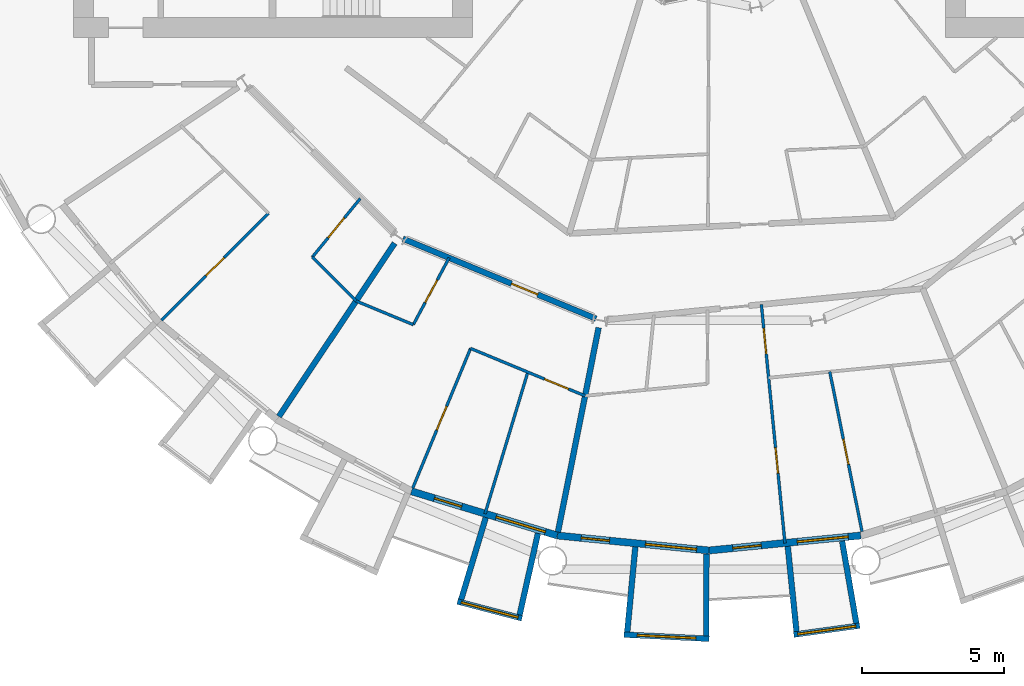
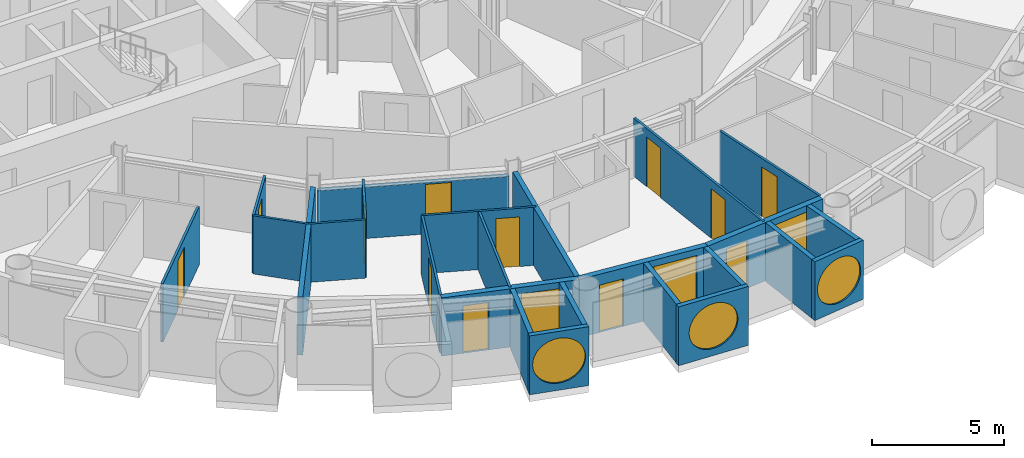
# One storey, part 13 of 26: 25 walls, 12 doors, 6 windows, 18 openings.
"""IFC4 building model written with IfcOpenShell, lengths in metres."""

from ifc_helpers import new_model, si_unit, direction, frame, frame_2d, origin, place, context, subcontext, project, spatial, rectangle, circle, extrude, material, layer, layer_set, type_object, element, fill, save


model = new_model("IFC4")

# Units and contexts
model_context = context("Model", 3, precision=1e-05, world=origin(), true_north=direction((0.0, 1.0)))
body_context = subcontext(model_context, "Body", "Model", "MODEL_VIEW")
ifc_project = project(units=[si_unit("LENGTHUNIT", "METRE"), si_unit("AREAUNIT", "SQUARE_METRE"), si_unit("VOLUMEUNIT", "CUBIC_METRE"), si_unit("PLANEANGLEUNIT", "RADIAN"), si_unit("MASSUNIT", "GRAM", prefix="KILO")], contexts=[model_context])

# Site, building, storey
site_placement = place(None, origin())
site = spatial("IfcSite", under=ifc_project, at=site_placement, CompositionType="ELEMENT")
building_placement = place(site_placement, origin())
building = spatial("IfcBuilding", under=site, at=building_placement, Name="Maasbend Ring Residences", CompositionType="ELEMENT")
storey_placement = place(building_placement, frame((0.0, 0.0, 63.60009765625)))
storey = spatial("IfcBuildingStorey", under=building, at=storey_placement, Name="L17", CompositionType="ELEMENT", Elevation=63.60009765625)

# Wall, opening, door
ifc_material_1 = material(Name="Concrete C30/37", Category="concrete")
ifc_layer_1 = layer(ifc_material_1, 0.199951171875)
ifc_layer_set_1 = layer_set([ifc_layer_1], Name="Concrete C30/37")
wall_type_1 = type_object("IfcWallType", Name="CORRIDOR WALL 200 CONCRETE", PredefinedType="PARTITIONING", material=ifc_layer_set_1)
wall_1_placement = place(storey_placement, frame((-10.7451171875, -16.35595703125, 0.0), z_axis=(0.0, 0.0, 1.0), x_axis=(0.923881347896, -0.382679049609, 0.0)))
wall_1 = element("IfcWall", 1, at=wall_1_placement, inside=storey, type_object=wall_type_1, Name="U-L17-w012", PredefinedType="PARTITIONING", context=body_context, shape_type="SweptSolid", body=[
    extrude(rectangle(XDim=7.33544921875, YDim=0.199951171875, at=frame_2d((3.667724609375, 0.0))), origin(), (0.0, 0.0, 1.0), 2.3798828125),
])
opening_1_placement = place(wall_1_placement, frame((4.1240234375, 0.0, 0.0)))
opening_1 = element("IfcOpeningElement", 2, at=opening_1_placement, cuts=wall_1, Name="Opening D-1739", PredefinedType="OPENING", context=body_context, shape_type="SweptSolid", body=[
    extrude(rectangle(XDim=1.0, YDim=2.300048828125, at=frame_2d((0.5, 1.14990234375))), frame((0.0, 0.10986328125, 0.0), z_axis=(0.0, -1.0, 0.0), x_axis=(1.0, 0.0, 0.0)), (0.0, 0.0, 1.0), 0.219970703125),
])
ifc_material_2 = material(Name="Timber, fire-rated, painted", Category="wood")
door_type_1 = type_object("IfcDoorType", Name="FLAT ENTRANCE DOOR 1000 X 2300 FIRE-RATED", OperationType="NOTDEFINED", PredefinedType="DOOR", material=ifc_material_2)
door_1_placement = place(opening_1_placement, origin())
door_1 = element("IfcDoor", 3, at=door_1_placement, inside=storey, type_object=door_type_1, Name="D-1739", OperationType="SINGLE_SWING_RIGHT", OverallHeight=2.300048828125, OverallWidth=1.0, PredefinedType="DOOR", context=body_context, shape_type="SweptSolid", body=[
    extrude(rectangle(XDim=1.0, YDim=2.300048828125, at=frame_2d((0.5, 1.14990234375))), frame((0.0, 0.02490234375, 0.0), z_axis=(0.0, -1.0, 0.0), x_axis=(1.0, 0.0, 0.0)), (0.0, 0.0, 1.0), 0.050048828125),
])
fill(opening_1, door_1)

# Wall, opening, window
ifc_material_3 = material(Name="Pale anodised aluminium panel", Category="aluminium")
ifc_layer_2 = layer(ifc_material_3, 0.199951171875)
ifc_layer_set_2 = layer_set([ifc_layer_2], Name="EW-BOX")
wall_type_2 = type_object("IfcWallType", Name="EW-BOX", PredefinedType="SOLIDWALL", material=ifc_layer_set_2)
wall_2_placement = place(storey_placement, frame((-8.827880859375, -29.090087890625, -0.030029296875), z_axis=(0.0, 0.0, 1.0), x_axis=(0.967377102346, -0.253340762326, 0.0)))
wall_2 = element("IfcWall", 4, at=wall_2_placement, inside=storey, type_object=wall_type_2, Name="Box front S08", PredefinedType="SOLIDWALL", context=body_context, shape_type="SweptSolid", body=[
    extrude(rectangle(XDim=2.3359375, YDim=0.199951171875, at=frame_2d((1.16796875, 0.0))), origin(), (0.0, 0.0, 1.0), 2.72998046875),
])
opening_2_placement = place(wall_2_placement, frame((0.128173828125, 0.0, 0.330078125)))
opening_2 = element("IfcOpeningElement", 5, at=opening_2_placement, cuts=wall_2, Name="Opening W-RD", PredefinedType="OPENING", context=body_context, shape_type="SweptSolid", body=[
    extrude(circle(Radius=1.0400390625, at=frame_2d((1.0400390625, 1.0400390625))), frame((0.0, 0.10986328125, 0.0), z_axis=(0.0, -1.0, 0.0), x_axis=(1.0, 0.0, 0.0)), (0.0, 0.0, 1.0), 0.219970703125),
])
ifc_material_4 = material(Name="Aluminium and clear glass", Category="aluminium")
window_type_1 = type_object("IfcWindowType", Name="W-RD", PartitioningType="SINGLE_PANEL", PredefinedType="WINDOW", material=ifc_material_4)
window_1_placement = place(opening_2_placement, origin())
window_1 = element("IfcWindow", 6, at=window_1_placement, inside=storey, type_object=window_type_1, Name="Round window S08", OverallHeight=2.080078125, OverallWidth=2.080078125, PartitioningType="SINGLE_PANEL", PredefinedType="WINDOW", context=body_context, shape_type="SweptSolid", body=[
    extrude(circle(Radius=1.0400390625, at=frame_2d((1.0400390625, 1.0400390625))), frame((0.0, 0.030029296875, 0.0), z_axis=(0.0, -1.0, 0.0), x_axis=(1.0, 0.0, 0.0)), (0.0, 0.0, 1.0), 0.06005859375),
])
fill(opening_2, window_1)

# Walls
wall_3_placement = place(storey_placement, frame((-7.8369140625, -26.14404296875, -0.030029296875), z_axis=(0.0, 0.0, 1.0), x_axis=(-0.287064767992, -0.957911174889, 0.0)))
element("IfcWall", 7, at=wall_3_placement, inside=storey, type_object=wall_type_2, Name="Box side wall S08 left", PredefinedType="SOLIDWALL", context=body_context, shape_type="SweptSolid", body=[
    extrude(rectangle(XDim=3.00634765625, YDim=0.199951171875, at=frame_2d((1.503173828125, 0.0))), origin(), (0.0, 0.0, 1.0), 2.72998046875),
])
wall_4_placement = place(storey_placement, frame((-6.00390625, -26.699951171875, -0.030029296875), z_axis=(0.0, 0.0, 1.0), x_axis=(-0.219609259383, -0.975587911566, 0.0)))
element("IfcWall", 8, at=wall_4_placement, inside=storey, type_object=wall_type_2, Name="Box side wall S08 right", PredefinedType="SOLIDWALL", context=body_context, shape_type="SweptSolid", body=[
    extrude(rectangle(XDim=2.9326171875, YDim=0.199951171875, at=frame_2d((1.46630859375, 0.0))), origin(), (0.0, 0.0, 1.0), 2.72998046875),
])

# Wall, opening, window
wall_5_placement = place(storey_placement, frame((-2.985107421875, -30.2529296875, -0.030029296875), z_axis=(0.0, 0.0, 1.0), x_axis=(0.998794083011, -0.049095618353, 0.0)))
wall_5 = element("IfcWall", 9, at=wall_5_placement, inside=storey, type_object=wall_type_2, Name="Box front S10", PredefinedType="SOLIDWALL", context=body_context, shape_type="SweptSolid", body=[
    extrude(rectangle(XDim=2.99365234375, YDim=0.199951171875, at=frame_2d((1.496826171875, 0.0))), origin(), (0.0, 0.0, 1.0), 2.72998046875),
])
opening_3_placement = place(wall_5_placement, frame((0.45654296875, 0.0, 0.330078125)))
opening_3 = element("IfcOpeningElement", 10, at=opening_3_placement, cuts=wall_5, Name="Opening W-RD", PredefinedType="OPENING", context=body_context, shape_type="SweptSolid", body=[
    extrude(circle(Radius=1.0400390625, at=frame_2d((1.0400390625, 1.0400390625))), frame((0.0, 0.10986328125, 0.0), z_axis=(0.0, -1.0, 0.0), x_axis=(1.0, 0.0, 0.0)), (0.0, 0.0, 1.0), 0.219970703125),
])
window_2_placement = place(opening_3_placement, origin())
window_2 = element("IfcWindow", 11, at=window_2_placement, inside=storey, type_object=window_type_1, Name="Round window S10", OverallHeight=2.080078125, OverallWidth=2.080078125, PartitioningType="SINGLE_PANEL", PredefinedType="WINDOW", context=body_context, shape_type="SweptSolid", body=[
    extrude(circle(Radius=1.0400390625, at=frame_2d((1.0400390625, 1.0400390625))), frame((0.0, 0.030029296875, 0.0), z_axis=(0.0, -1.0, 0.0), x_axis=(1.0, 0.0, 0.0)), (0.0, 0.0, 1.0), 0.06005859375),
])
fill(opening_3, window_2)

# Walls
wall_6_placement = place(storey_placement, frame((-2.5859375, -27.1708984375, -0.030029296875), z_axis=(0.0, 0.0, 1.0), x_axis=(-0.094548432284, -0.995520262954, 0.0)))
element("IfcWall", 12, at=wall_6_placement, inside=storey, type_object=wall_type_2, Name="Box side wall S10 left", PredefinedType="SOLIDWALL", context=body_context, shape_type="SweptSolid", body=[
    extrude(rectangle(XDim=3.005615234375, YDim=0.199951171875, at=frame_2d((1.5029296875, 0.0))), origin(), (0.0, 0.0, 1.0), 2.72998046875),
])
wall_7_placement = place(storey_placement, frame((-0.090087890625, -27.4169921875, -0.030029296875), z_axis=(0.0, 0.0, 1.0), x_axis=(-0.00347308367, -0.999993968827, 0.0)))
element("IfcWall", 13, at=wall_7_placement, inside=storey, type_object=wall_type_2, Name="Box side wall S10 right", PredefinedType="SOLIDWALL", context=body_context, shape_type="SweptSolid", body=[
    extrude(rectangle(XDim=2.882080078125, YDim=0.199951171875, at=frame_2d((1.44091796875, 0.0))), origin(), (0.0, 0.0, 1.0), 2.72998046875),
])

# Wall, opening, window
wall_8_placement = place(storey_placement, frame((2.97607421875, -30.25390625, -0.030029296875), z_axis=(0.0, 0.0, 1.0), x_axis=(0.990696111261, 0.136092671119, 0.0)))
wall_8 = element("IfcWall", 14, at=wall_8_placement, inside=storey, type_object=wall_type_2, Name="Box front S12", PredefinedType="SOLIDWALL", context=body_context, shape_type="SweptSolid", body=[
    extrude(rectangle(XDim=2.335693359375, YDim=0.199951171875, at=frame_2d((1.16796875, 0.0))), origin(), (0.0, 0.0, 1.0), 2.72998046875),
])
opening_4_placement = place(wall_8_placement, frame((0.128173828125, 0.0, 0.330078125)))
opening_4 = element("IfcOpeningElement", 15, at=opening_4_placement, cuts=wall_8, Name="Opening W-RD", PredefinedType="OPENING", context=body_context, shape_type="SweptSolid", body=[
    extrude(circle(Radius=1.0400390625, at=frame_2d((1.0400390625, 1.0400390625))), frame((0.0, 0.10986328125, 0.0), z_axis=(0.0, -1.0, 0.0), x_axis=(1.0, 0.0, 0.0)), (0.0, 0.0, 1.0), 0.219970703125),
])
window_3_placement = place(opening_4_placement, origin())
window_3 = element("IfcWindow", 16, at=window_3_placement, inside=storey, type_object=window_type_1, Name="Round window S12", OverallHeight=2.080078125, OverallWidth=2.080078125, PartitioningType="SINGLE_PANEL", PredefinedType="WINDOW", context=body_context, shape_type="SweptSolid", body=[
    extrude(circle(Radius=1.0400390625, at=frame_2d((1.0400390625, 1.0400390625))), frame((0.0, 0.030029296875, 0.0), z_axis=(0.0, -1.0, 0.0), x_axis=(1.0, 0.0, 0.0)), (0.0, 0.0, 1.0), 0.06005859375),
])
fill(opening_4, window_3)

# Walls
wall_9_placement = place(storey_placement, frame((2.763916015625, -27.153076171875, -0.030029296875), z_axis=(0.0, 0.0, 1.0), x_axis=(0.101505487237, -0.994834979311, 0.0)))
element("IfcWall", 17, at=wall_9_placement, inside=storey, type_object=wall_type_2, Name="Box side wall S12 left", PredefinedType="SOLIDWALL", context=body_context, shape_type="SweptSolid", body=[
    extrude(rectangle(XDim=3.006591796875, YDim=0.199951171875, at=frame_2d((1.50341796875, 0.0))), origin(), (0.0, 0.0, 1.0), 2.72998046875),
])
wall_10_placement = place(storey_placement, frame((4.6708984375, -26.966064453125, -0.030029296875), z_axis=(0.0, 0.0, 1.0), x_axis=(0.170539878907, -0.985350774954, 0.0)))
element("IfcWall", 18, at=wall_10_placement, inside=storey, type_object=wall_type_2, Name="Box side wall S12 right", PredefinedType="SOLIDWALL", context=body_context, shape_type="SweptSolid", body=[
    extrude(rectangle(XDim=2.931884765625, YDim=0.199951171875, at=frame_2d((1.4658203125, 0.0))), origin(), (0.0, 0.0, 1.0), 2.72998046875),
])

# Wall, openings, door, window
ifc_material_5 = material(Name="Aluminium clad insulated panel", Category="aluminium")
ifc_layer_3 = layer(ifc_material_5, 0.25)
ifc_layer_set_3 = layer_set([ifc_layer_3], Name="EW-GL")
wall_type_3 = type_object("IfcWallType", Name="EW-GL", PredefinedType="SOLIDWALL", material=ifc_layer_set_3)
wall_11_placement = place(storey_placement, frame((-10.447021484375, -25.221923828125, 0.0), z_axis=(0.0, 0.0, 1.0), x_axis=(0.956965678721, -0.290201119486, 0.0)))
wall_11 = element("IfcWall", 19, at=wall_11_placement, inside=storey, type_object=wall_type_3, Name="External wall S04", PredefinedType="SOLIDWALL", context=body_context, shape_type="SweptSolid", body=[
    extrude(rectangle(XDim=5.351318359375, YDim=0.25, at=frame_2d((2.67578125, 0.0))), origin(), (0.0, 0.0, 1.0), 2.699951171875),
])
opening_5_placement = place(wall_11_placement, frame((0.841064453125, 0.0, 0.0)))
opening_5 = element("IfcOpeningElement", 20, at=opening_5_placement, cuts=wall_11, Name="Opening D-LG", PredefinedType="OPENING", context=body_context, shape_type="SweptSolid", body=[
    extrude(rectangle(XDim=1.0, YDim=2.199951171875, at=frame_2d((0.5, 1.10009765625))), frame((0.0, 0.135009765625, 0.0), z_axis=(0.0, -1.0, 0.0), x_axis=(1.0, 0.0, 0.0)), (0.0, 0.0, 1.0), 0.27001953125),
])
opening_6_placement = place(wall_11_placement, frame((3.110595703125, 0.0, 0.300048828125)))
opening_6 = element("IfcOpeningElement", 21, at=opening_6_placement, cuts=wall_11, Name="Opening W-BX", PredefinedType="OPENING", context=body_context, shape_type="SweptSolid", body=[
    extrude(rectangle(XDim=1.800048828125, YDim=2.10009765625, at=frame_2d((0.89990234375, 1.050048828125))), frame((0.0, 0.135009765625, 0.0), z_axis=(0.0, -1.0, 0.0), x_axis=(1.0, 0.0, 0.0)), (0.0, 0.0, 1.0), 0.27001953125),
])
ifc_material_6 = material(Name="Aluminium and clear glass", Category="aluminium")
door_type_2 = type_object("IfcDoorType", Name="D-LG", OperationType="SINGLE_SWING_LEFT", PredefinedType="DOOR", material=ifc_material_6)
door_2_placement = place(opening_5_placement, origin())
door_2 = element("IfcDoor", 22, at=door_2_placement, inside=storey, type_object=door_type_2, Name="Loggia door S07", OperationType="SINGLE_SWING_LEFT", OverallHeight=2.199951171875, OverallWidth=1.0, PredefinedType="DOOR", context=body_context, shape_type="SweptSolid", body=[
    extrude(rectangle(XDim=1.0, YDim=2.199951171875, at=frame_2d((0.5, 1.10009765625))), frame((0.0, 0.02490234375, 0.0), z_axis=(0.0, -1.0, 0.0), x_axis=(1.0, 0.0, 0.0)), (0.0, 0.0, 1.0), 0.050048828125),
])
fill(opening_5, door_2)
ifc_material_7 = material(Name="Aluminium and clear glass", Category="aluminium")
window_type_2 = type_object("IfcWindowType", Name="W-BX", PartitioningType="DOUBLE_PANEL_VERTICAL", PredefinedType="WINDOW", material=ifc_material_7)
window_4_placement = place(opening_6_placement, origin())
window_4 = element("IfcWindow", 23, at=window_4_placement, inside=storey, type_object=window_type_2, Name="Window S08 room to box", OverallHeight=2.10009765625, OverallWidth=1.800048828125, PartitioningType="SINGLE_PANEL", PredefinedType="WINDOW", context=body_context, shape_type="SweptSolid", body=[
    extrude(rectangle(XDim=1.800048828125, YDim=2.10009765625, at=frame_2d((0.89990234375, 1.050048828125))), frame((0.0, 0.030029296875, 0.0), z_axis=(0.0, -1.0, 0.0), x_axis=(1.0, 0.0, 0.0)), (0.0, 0.0, 1.0), 0.06005859375),
])
fill(opening_6, window_4)

wall_12_placement = place(storey_placement, frame((-5.325927734375, -26.77490234375, 0.0), z_axis=(0.0, 0.0, 1.0), x_axis=(0.995173996315, -0.098126026407, 0.0)))
wall_12 = element("IfcWall", 24, at=wall_12_placement, inside=storey, type_object=wall_type_3, Name="External wall S05", PredefinedType="SOLIDWALL", context=body_context, shape_type="SweptSolid", body=[
    extrude(rectangle(XDim=5.351806640625, YDim=0.25, at=frame_2d((2.67578125, 0.0))), origin(), (0.0, 0.0, 1.0), 2.699951171875),
])
opening_7_placement = place(wall_12_placement, frame((0.841064453125, 0.0, 0.0)))
opening_7 = element("IfcOpeningElement", 25, at=opening_7_placement, cuts=wall_12, Name="Opening D-LG", PredefinedType="OPENING", context=body_context, shape_type="SweptSolid", body=[
    extrude(rectangle(XDim=1.0, YDim=2.199951171875, at=frame_2d((0.5, 1.10009765625))), frame((0.0, 0.135009765625, 0.0), z_axis=(0.0, -1.0, 0.0), x_axis=(1.0, 0.0, 0.0)), (0.0, 0.0, 1.0), 0.27001953125),
])
opening_8_placement = place(wall_12_placement, frame((3.110595703125, 0.0, 0.300048828125)))
opening_8 = element("IfcOpeningElement", 26, at=opening_8_placement, cuts=wall_12, Name="Opening W-BX", PredefinedType="OPENING", context=body_context, shape_type="SweptSolid", body=[
    extrude(rectangle(XDim=1.800048828125, YDim=2.10009765625, at=frame_2d((0.89990234375, 1.050048828125))), frame((0.0, 0.135009765625, 0.0), z_axis=(0.0, -1.0, 0.0), x_axis=(1.0, 0.0, 0.0)), (0.0, 0.0, 1.0), 0.27001953125),
])
door_3_placement = place(opening_7_placement, origin())
door_3 = element("IfcDoor", 27, at=door_3_placement, inside=storey, type_object=door_type_2, Name="Loggia door S09", OperationType="SINGLE_SWING_LEFT", OverallHeight=2.199951171875, OverallWidth=1.0, PredefinedType="DOOR", context=body_context, shape_type="SweptSolid", body=[
    extrude(rectangle(XDim=1.0, YDim=2.199951171875, at=frame_2d((0.5, 1.10009765625))), frame((0.0, 0.02490234375, 0.0), z_axis=(0.0, -1.0, 0.0), x_axis=(1.0, 0.0, 0.0)), (0.0, 0.0, 1.0), 0.050048828125),
])
fill(opening_7, door_3)
window_5_placement = place(opening_8_placement, origin())
window_5 = element("IfcWindow", 28, at=window_5_placement, inside=storey, type_object=window_type_2, Name="Window S10 room to box", OverallHeight=2.10009765625, OverallWidth=1.800048828125, PartitioningType="SINGLE_PANEL", PredefinedType="WINDOW", context=body_context, shape_type="SweptSolid", body=[
    extrude(rectangle(XDim=1.800048828125, YDim=2.10009765625, at=frame_2d((0.89990234375, 1.050048828125))), frame((0.0, 0.030029296875, 0.0), z_axis=(0.0, -1.0, 0.0), x_axis=(1.0, 0.0, 0.0)), (0.0, 0.0, 1.0), 0.06005859375),
])
fill(opening_8, window_5)

wall_13_placement = place(storey_placement, frame((0.0, -27.300048828125, 0.0), z_axis=(0.0, 0.0, 1.0), x_axis=(0.995173996315, 0.098126026407, 0.0)))
wall_13 = element("IfcWall", 29, at=wall_13_placement, inside=storey, type_object=wall_type_3, Name="External wall S06", PredefinedType="SOLIDWALL", context=body_context, shape_type="SweptSolid", body=[
    extrude(rectangle(XDim=5.351806640625, YDim=0.25, at=frame_2d((2.67578125, 0.0))), origin(), (0.0, 0.0, 1.0), 2.699951171875),
])
opening_9_placement = place(wall_13_placement, frame((0.841064453125, 0.0, 0.0)))
opening_9 = element("IfcOpeningElement", 30, at=opening_9_placement, cuts=wall_13, Name="Opening D-LG", PredefinedType="OPENING", context=body_context, shape_type="SweptSolid", body=[
    extrude(rectangle(XDim=1.0, YDim=2.199951171875, at=frame_2d((0.5, 1.10009765625))), frame((0.0, 0.135009765625, 0.0), z_axis=(0.0, -1.0, 0.0), x_axis=(1.0, 0.0, 0.0)), (0.0, 0.0, 1.0), 0.27001953125),
])
opening_10_placement = place(wall_13_placement, frame((3.110595703125, 0.0, 0.300048828125)))
opening_10 = element("IfcOpeningElement", 31, at=opening_10_placement, cuts=wall_13, Name="Opening W-BX", PredefinedType="OPENING", context=body_context, shape_type="SweptSolid", body=[
    extrude(rectangle(XDim=1.800048828125, YDim=2.10009765625, at=frame_2d((0.89990234375, 1.050048828125))), frame((0.0, 0.135009765625, 0.0), z_axis=(0.0, -1.0, 0.0), x_axis=(1.0, 0.0, 0.0)), (0.0, 0.0, 1.0), 0.27001953125),
])
door_4_placement = place(opening_9_placement, origin())
door_4 = element("IfcDoor", 32, at=door_4_placement, inside=storey, type_object=door_type_2, Name="Loggia door S11", OperationType="SINGLE_SWING_LEFT", OverallHeight=2.199951171875, OverallWidth=1.0, PredefinedType="DOOR", context=body_context, shape_type="SweptSolid", body=[
    extrude(rectangle(XDim=1.0, YDim=2.199951171875, at=frame_2d((0.5, 1.10009765625))), frame((0.0, 0.02490234375, 0.0), z_axis=(0.0, -1.0, 0.0), x_axis=(1.0, 0.0, 0.0)), (0.0, 0.0, 1.0), 0.050048828125),
])
fill(opening_9, door_4)
window_6_placement = place(opening_10_placement, origin())
window_6 = element("IfcWindow", 33, at=window_6_placement, inside=storey, type_object=window_type_2, Name="Window S12 room to box", OverallHeight=2.10009765625, OverallWidth=1.800048828125, PartitioningType="SINGLE_PANEL", PredefinedType="WINDOW", context=body_context, shape_type="SweptSolid", body=[
    extrude(rectangle(XDim=1.800048828125, YDim=2.10009765625, at=frame_2d((0.89990234375, 1.050048828125))), frame((0.0, 0.030029296875, 0.0), z_axis=(0.0, -1.0, 0.0), x_axis=(1.0, 0.0, 0.0)), (0.0, 0.0, 1.0), 0.06005859375),
])
fill(opening_10, window_6)

# Walls
ifc_material_8 = material(Name="Gypsum board on steel studs", Category="steel")
ifc_layer_4 = layer(ifc_material_8, 0.10009765625)
ifc_layer_set_4 = layer_set([ifc_layer_4], Name="PARTITION 100 GYPSUM")
wall_type_4 = type_object("IfcWallType", Name="PARTITION 100 GYPSUM", PredefinedType="PARTITIONING", material=ifc_layer_set_4)
wall_14_placement = place(storey_placement, frame((-13.927001953125, -17.00390625, 0.0), z_axis=(0.0, 0.0, 1.0), x_axis=(0.707106781187, -0.707106781187, 0.0)))
element("IfcWall", 34, at=wall_14_placement, inside=storey, type_object=wall_type_4, Name="U-L17-w002", PredefinedType="PARTITIONING", context=body_context, shape_type="SweptSolid", body=[
    extrude(rectangle(XDim=2.17529296875, YDim=0.10009765625, at=frame_2d((1.087646484375, 0.0))), origin(), (0.0, 0.0, 1.0), 2.699951171875),
])
wall_15_placement = place(storey_placement, frame((-12.39208984375, -18.541015625, 0.0), z_axis=(0.0, 0.0, 1.0), x_axis=(0.923901895183, -0.382629439638, 0.0)))
element("IfcWall", 35, at=wall_15_placement, inside=storey, type_object=wall_type_4, Name="U-L17-w003", PredefinedType="PARTITIONING", context=body_context, shape_type="SweptSolid", body=[
    extrude(rectangle(XDim=2.174560546875, YDim=0.10009765625, at=frame_2d((1.08740234375, 0.0))), origin(), (0.0, 0.0, 1.0), 2.699951171875),
])

# Wall, opening, door
wall_16_placement = place(storey_placement, frame((-8.3759765625, -20.2041015625, 0.0), z_axis=(0.0, 0.0, 1.0), x_axis=(0.92378218199, -0.382918372814, 0.0)))
wall_16 = element("IfcWall", 36, at=wall_16_placement, inside=storey, type_object=wall_type_4, Name="U-L17-w004", PredefinedType="PARTITIONING", context=body_context, shape_type="SweptSolid", body=[
    extrude(rectangle(XDim=4.363525390625, YDim=0.10009765625, at=frame_2d((2.181640625, 0.0))), origin(), (0.0, 0.0, 1.0), 2.699951171875),
])
opening_11_placement = place(wall_16_placement, frame((2.822998046875, 0.0, 0.0)))
opening_11 = element("IfcOpeningElement", 37, at=opening_11_placement, cuts=wall_16, Name="Opening D-1742", PredefinedType="OPENING", context=body_context, shape_type="SweptSolid", body=[
    extrude(rectangle(XDim=0.89990234375, YDim=2.300048828125, at=frame_2d((0.449951171875, 1.14990234375))), frame((0.0, 0.06005859375, 0.0), z_axis=(0.0, -1.0, 0.0), x_axis=(1.0, 0.0, 0.0)), (0.0, 0.0, 1.0), 0.1201171875),
])
ifc_material_9 = material(Name="Timber, painted", Category="wood")
door_type_3 = type_object("IfcDoorType", Name="INTERNAL DOOR 900 X 2300", OperationType="NOTDEFINED", PredefinedType="DOOR", material=ifc_material_9)
door_5_placement = place(opening_11_placement, origin())
door_5 = element("IfcDoor", 38, at=door_5_placement, inside=storey, type_object=door_type_3, Name="D-1742", OperationType="SINGLE_SWING_RIGHT", OverallHeight=2.300048828125, OverallWidth=0.89990234375, PredefinedType="DOOR", context=body_context, shape_type="SweptSolid", body=[
    extrude(rectangle(XDim=0.89990234375, YDim=2.300048828125, at=frame_2d((0.449951171875, 1.14990234375))), frame((0.0, 0.02490234375, 0.0), z_axis=(0.0, -1.0, 0.0), x_axis=(1.0, 0.0, 0.0)), (0.0, 0.0, 1.0), 0.050048828125),
])
fill(opening_11, door_5)

# Wall, openings, doors
wall_17_placement = place(storey_placement, frame((1.837890625, -18.666015625, 0.0), z_axis=(0.0, 0.0, 1.0), x_axis=(0.098366640075, -0.995150241984, 0.0)))
wall_17 = element("IfcWall", 39, at=wall_17_placement, inside=storey, type_object=wall_type_4, Name="U-L17-w028", PredefinedType="PARTITIONING", context=body_context, shape_type="SweptSolid", body=[
    extrude(rectangle(XDim=8.418701171875, YDim=0.10009765625, at=frame_2d((4.20947265625, 0.0))), origin(), (0.0, 0.0, 1.0), 2.699951171875),
])
opening_12_placement = place(wall_17_placement, frame((0.842041015625, 0.0, 0.0)))
opening_12 = element("IfcOpeningElement", 40, at=opening_12_placement, cuts=wall_17, Name="Opening D-1746", PredefinedType="OPENING", context=body_context, shape_type="SweptSolid", body=[
    extrude(rectangle(XDim=0.89990234375, YDim=2.300048828125, at=frame_2d((0.449951171875, 1.14990234375))), frame((0.0, 0.06005859375, 0.0), z_axis=(0.0, -1.0, 0.0), x_axis=(1.0, 0.0, 0.0)), (0.0, 0.0, 1.0), 0.1201171875),
])
opening_13_placement = place(wall_17_placement, frame((5.051025390625, 0.0, 0.0)))
opening_13 = element("IfcOpeningElement", 41, at=opening_13_placement, cuts=wall_17, Name="Opening D-1747", PredefinedType="OPENING", context=body_context, shape_type="SweptSolid", body=[
    extrude(rectangle(XDim=0.89990234375, YDim=2.300048828125, at=frame_2d((0.449951171875, 1.14990234375))), frame((0.0, 0.06005859375, 0.0), z_axis=(0.0, -1.0, 0.0), x_axis=(1.0, 0.0, 0.0)), (0.0, 0.0, 1.0), 0.1201171875),
])
door_6_placement = place(opening_12_placement, origin())
door_6 = element("IfcDoor", 42, at=door_6_placement, inside=storey, type_object=door_type_3, Name="D-1746", OperationType="SINGLE_SWING_LEFT", OverallHeight=2.300048828125, OverallWidth=0.89990234375, PredefinedType="DOOR", context=body_context, shape_type="SweptSolid", body=[
    extrude(rectangle(XDim=0.89990234375, YDim=2.300048828125, at=frame_2d((0.449951171875, 1.14990234375))), frame((0.0, 0.02490234375, 0.0), z_axis=(0.0, -1.0, 0.0), x_axis=(1.0, 0.0, 0.0)), (0.0, 0.0, 1.0), 0.050048828125),
])
fill(opening_12, door_6)
door_7_placement = place(opening_13_placement, origin())
door_7 = element("IfcDoor", 43, at=door_7_placement, inside=storey, type_object=door_type_3, Name="D-1747", OperationType="SINGLE_SWING_RIGHT", OverallHeight=2.300048828125, OverallWidth=0.89990234375, PredefinedType="DOOR", context=body_context, shape_type="SweptSolid", body=[
    extrude(rectangle(XDim=0.89990234375, YDim=2.300048828125, at=frame_2d((0.449951171875, 1.14990234375))), frame((0.0, 0.02490234375, 0.0), z_axis=(0.0, -1.0, 0.0), x_axis=(1.0, 0.0, 0.0)), (0.0, 0.0, 1.0), 0.050048828125),
])
fill(opening_13, door_7)

# Wall, opening, door
wall_18_placement = place(storey_placement, frame((-19.216064453125, -19.216064453125, 0.0), z_axis=(0.0, 0.0, 1.0), x_axis=(0.707106781187, 0.707106781187, 0.0)))
wall_18 = element("IfcWall", 44, at=wall_18_placement, inside=storey, type_object=wall_type_4, Name="U-L17-w032", PredefinedType="PARTITIONING", context=body_context, shape_type="SweptSolid", body=[
    extrude(rectangle(XDim=5.3046875, YDim=0.10009765625, at=frame_2d((2.65234375, 0.0))), origin(), (0.0, 0.0, 1.0), 2.699951171875),
])
opening_14_placement = place(wall_18_placement, frame((2.201904296875, 0.0, 0.0)))
opening_14 = element("IfcOpeningElement", 45, at=opening_14_placement, cuts=wall_18, Name="Opening D-1737", PredefinedType="OPENING", context=body_context, shape_type="SweptSolid", body=[
    extrude(rectangle(XDim=0.89990234375, YDim=2.300048828125, at=frame_2d((0.449951171875, 1.14990234375))), frame((0.0, 0.06005859375, 0.0), z_axis=(0.0, -1.0, 0.0), x_axis=(1.0, 0.0, 0.0)), (0.0, 0.0, 1.0), 0.1201171875),
])
door_8_placement = place(opening_14_placement, origin())
door_8 = element("IfcDoor", 46, at=door_8_placement, inside=storey, type_object=door_type_3, Name="D-1737", OperationType="SINGLE_SWING_LEFT", OverallHeight=2.300048828125, OverallWidth=0.89990234375, PredefinedType="DOOR", context=body_context, shape_type="SweptSolid", body=[
    extrude(rectangle(XDim=0.89990234375, YDim=2.300048828125, at=frame_2d((0.449951171875, 1.14990234375))), frame((0.0, 0.02490234375, 0.0), z_axis=(0.0, -1.0, 0.0), x_axis=(1.0, 0.0, 0.0)), (0.0, 0.0, 1.0), 0.050048828125),
])
fill(opening_14, door_8)

wall_19_placement = place(storey_placement, frame((-13.927001953125, -17.00390625, 0.0), z_axis=(0.0, 0.0, 1.0), x_axis=(0.633582447834, 0.77367517848, 0.0)))
wall_19 = element("IfcWall", 47, at=wall_19_placement, inside=storey, type_object=wall_type_4, Name="U-L17-w038", PredefinedType="PARTITIONING", context=body_context, shape_type="SweptSolid", body=[
    extrude(rectangle(XDim=2.6611328125, YDim=0.10009765625, at=frame_2d((1.33056640625, 0.0))), origin(), (0.0, 0.0, 1.0), 2.699951171875),
])
opening_15_placement = place(wall_19_placement, frame((0.881103515625, 0.0, 0.0)))
opening_15 = element("IfcOpeningElement", 48, at=opening_15_placement, cuts=wall_19, Name="Opening D-1736", PredefinedType="OPENING", context=body_context, shape_type="SweptSolid", body=[
    extrude(rectangle(XDim=0.89990234375, YDim=2.300048828125, at=frame_2d((0.449951171875, 1.14990234375))), frame((0.0, 0.06005859375, 0.0), z_axis=(0.0, -1.0, 0.0), x_axis=(1.0, 0.0, 0.0)), (0.0, 0.0, 1.0), 0.1201171875),
])
door_9_placement = place(opening_15_placement, origin())
door_9 = element("IfcDoor", 49, at=door_9_placement, inside=storey, type_object=door_type_3, Name="D-1736", OperationType="SINGLE_SWING_RIGHT", OverallHeight=2.300048828125, OverallWidth=0.89990234375, PredefinedType="DOOR", context=body_context, shape_type="SweptSolid", body=[
    extrude(rectangle(XDim=0.89990234375, YDim=2.300048828125, at=frame_2d((0.449951171875, 1.14990234375))), frame((0.0, 0.02490234375, 0.0), z_axis=(0.0, -1.0, 0.0), x_axis=(1.0, 0.0, 0.0)), (0.0, 0.0, 1.0), 0.050048828125),
])
fill(opening_15, door_9)

wall_20_placement = place(storey_placement, frame((-10.39892578125, -25.10595703125, 0.0), z_axis=(0.0, 0.0, 1.0), x_axis=(0.382620183578, 0.92390572848, 0.0)))
wall_20 = element("IfcWall", 50, at=wall_20_placement, inside=storey, type_object=wall_type_4, Name="U-L17-w040", PredefinedType="PARTITIONING", context=body_context, shape_type="SweptSolid", body=[
    extrude(rectangle(XDim=5.302490234375, YDim=0.10009765625, at=frame_2d((2.6513671875, 0.0))), origin(), (0.0, 0.0, 1.0), 2.699951171875),
])
opening_16_placement = place(wall_20_placement, frame((2.200927734375, 0.0, 0.0)))
opening_16 = element("IfcOpeningElement", 51, at=opening_16_placement, cuts=wall_20, Name="Opening D-1741", PredefinedType="OPENING", context=body_context, shape_type="SweptSolid", body=[
    extrude(rectangle(XDim=0.89990234375, YDim=2.300048828125, at=frame_2d((0.449951171875, 1.14990234375))), frame((0.0, 0.06005859375, 0.0), z_axis=(0.0, -1.0, 0.0), x_axis=(1.0, 0.0, 0.0)), (0.0, 0.0, 1.0), 0.1201171875),
])
door_10_placement = place(opening_16_placement, origin())
door_10 = element("IfcDoor", 52, at=door_10_placement, inside=storey, type_object=door_type_3, Name="D-1741", OperationType="SINGLE_SWING_LEFT", OverallHeight=2.300048828125, OverallWidth=0.89990234375, PredefinedType="DOOR", context=body_context, shape_type="SweptSolid", body=[
    extrude(rectangle(XDim=0.89990234375, YDim=2.300048828125, at=frame_2d((0.449951171875, 1.14990234375))), frame((0.0, 0.02490234375, 0.0), z_axis=(0.0, -1.0, 0.0), x_axis=(1.0, 0.0, 0.0)), (0.0, 0.0, 1.0), 0.050048828125),
])
fill(opening_16, door_10)

wall_21_placement = place(storey_placement, frame((-10.3798828125, -19.3740234375, 0.0), z_axis=(0.0, 0.0, 1.0), x_axis=(0.472244323015, 0.881467696164, 0.0)))
wall_21 = element("IfcWall", 53, at=wall_21_placement, inside=storey, type_object=wall_type_4, Name="U-L17-w041", PredefinedType="PARTITIONING", context=body_context, shape_type="SweptSolid", body=[
    extrude(rectangle(XDim=2.661376953125, YDim=0.10009765625, at=frame_2d((1.33056640625, 0.0))), origin(), (0.0, 0.0, 1.0), 2.699951171875),
])
opening_17_placement = place(wall_21_placement, frame((0.881103515625, 0.0, 0.0)))
opening_17 = element("IfcOpeningElement", 54, at=opening_17_placement, cuts=wall_21, Name="Opening D-1740", PredefinedType="OPENING", context=body_context, shape_type="SweptSolid", body=[
    extrude(rectangle(XDim=0.89990234375, YDim=2.300048828125, at=frame_2d((0.449951171875, 1.14990234375))), frame((0.0, 0.06005859375, 0.0), z_axis=(0.0, -1.0, 0.0), x_axis=(1.0, 0.0, 0.0)), (0.0, 0.0, 1.0), 0.1201171875),
])
door_11_placement = place(opening_17_placement, origin())
door_11 = element("IfcDoor", 55, at=door_11_placement, inside=storey, type_object=door_type_3, Name="D-1740", OperationType="SINGLE_SWING_RIGHT", OverallHeight=2.300048828125, OverallWidth=0.89990234375, PredefinedType="DOOR", context=body_context, shape_type="SweptSolid", body=[
    extrude(rectangle(XDim=0.89990234375, YDim=2.300048828125, at=frame_2d((0.449951171875, 1.14990234375))), frame((0.0, 0.02490234375, 0.0), z_axis=(0.0, -1.0, 0.0), x_axis=(1.0, 0.0, 0.0)), (0.0, 0.0, 1.0), 0.050048828125),
])
fill(opening_17, door_11)

# Wall
wall_22_placement = place(storey_placement, frame((-7.864013671875, -26.011962890625, 0.0), z_axis=(0.0, 0.0, 1.0), x_axis=(0.289472609969, 0.957186297477, 0.0)))
element("IfcWall", 56, at=wall_22_placement, inside=storey, type_object=wall_type_4, Name="U-L17-w045", PredefinedType="PARTITIONING", context=body_context, shape_type="SweptSolid", body=[
    extrude(rectangle(XDim=5.1953125, YDim=0.10009765625, at=frame_2d((2.59765625, 0.0))), origin(), (0.0, 0.0, 1.0), 2.699951171875),
])

# Wall, opening, door
wall_23_placement = place(storey_placement, frame((4.239013671875, -21.02587890625, 0.0), z_axis=(0.0, 0.0, 1.0), x_axis=(0.197706555414, -0.980261249844, 0.0)))
wall_23 = element("IfcWall", 57, at=wall_23_placement, inside=storey, type_object=wall_type_4, Name="U-L17-w068", PredefinedType="PARTITIONING", context=body_context, shape_type="SweptSolid", body=[
    extrude(rectangle(XDim=5.72607421875, YDim=0.10009765625, at=frame_2d((2.863037109375, 0.0))), origin(), (0.0, 0.0, 1.0), 2.699951171875),
])
opening_18_placement = place(wall_23_placement, frame((2.4130859375, 0.0, 0.0)))
opening_18 = element("IfcOpeningElement", 58, at=opening_18_placement, cuts=wall_23, Name="Opening D-1748", PredefinedType="OPENING", context=body_context, shape_type="SweptSolid", body=[
    extrude(rectangle(XDim=0.89990234375, YDim=2.300048828125, at=frame_2d((0.449951171875, 1.14990234375))), frame((0.0, 0.06005859375, 0.0), z_axis=(0.0, -1.0, 0.0), x_axis=(1.0, 0.0, 0.0)), (0.0, 0.0, 1.0), 0.1201171875),
])
door_12_placement = place(opening_18_placement, origin())
door_12 = element("IfcDoor", 59, at=door_12_placement, inside=storey, type_object=door_type_3, Name="D-1748", OperationType="SINGLE_SWING_RIGHT", OverallHeight=2.300048828125, OverallWidth=0.89990234375, PredefinedType="DOOR", context=body_context, shape_type="SweptSolid", body=[
    extrude(rectangle(XDim=0.89990234375, YDim=2.300048828125, at=frame_2d((0.449951171875, 1.14990234375))), frame((0.0, 0.02490234375, 0.0), z_axis=(0.0, -1.0, 0.0), x_axis=(1.0, 0.0, 0.0)), (0.0, 0.0, 1.0), 0.050048828125),
])
fill(opening_18, door_12)

# Walls
ifc_material_10 = material(Name="Concrete C30/37", Category="concrete")
ifc_layer_5 = layer(ifc_material_10, 0.199951171875)
ifc_layer_set_5 = layer_set([ifc_layer_5], Name="Concrete C30/37")
wall_type_5 = type_object("IfcWallType", Name="PARTY WALL 200 CONCRETE", PredefinedType="PARTITIONING", material=ifc_layer_set_5)
wall_24_placement = place(storey_placement, frame((-15.097900390625, -22.594970703125, 0.0), z_axis=(0.0, 0.0, 1.0), x_axis=(0.555701298605, 0.831382022135, 0.0)))
element("IfcWall", 60, at=wall_24_placement, inside=storey, type_object=wall_type_5, Name="U-L17-w036", PredefinedType="PARTITIONING", context=body_context, shape_type="SweptSolid", body=[
    extrude(rectangle(XDim=7.313232421875, YDim=0.199951171875, at=frame_2d((3.65673828125, 0.0))), origin(), (0.0, 0.0, 1.0), 2.699951171875),
])
wall_25_placement = place(storey_placement, frame((-5.302001953125, -26.653076171875, 0.0), z_axis=(0.0, 0.0, 1.0), x_axis=(0.195114589291, 0.98078045303, 0.0)))
element("IfcWall", 61, at=wall_25_placement, inside=storey, type_object=wall_type_5, Name="U-L17-w049", PredefinedType="PARTITIONING", context=body_context, shape_type="SweptSolid", body=[
    extrude(rectangle(XDim=7.313720703125, YDim=0.199951171875, at=frame_2d((3.65673828125, 0.0))), origin(), (0.0, 0.0, 1.0), 2.699951171875),
])

save(model, "model.ifc")
